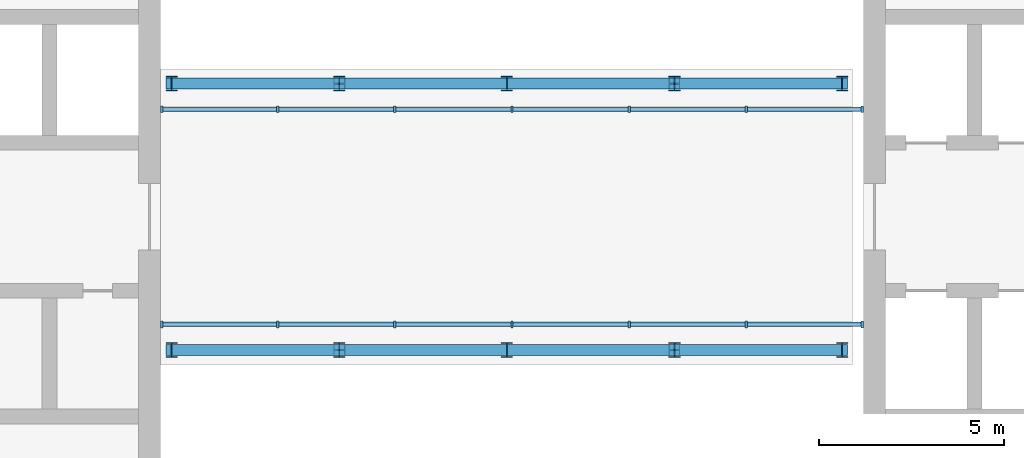
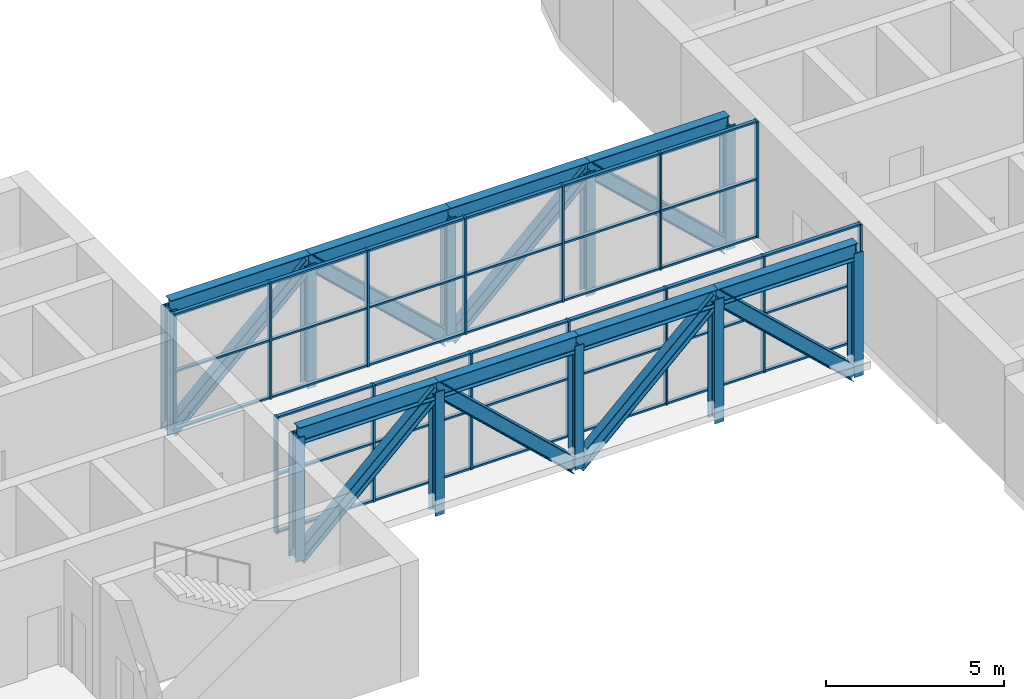
# One storey, part 2 of 18: 76 members, 2 elements without a shape of their own.
"""IFC4 building model written with IfcOpenShell, lengths in metres."""

from ifc_helpers import new_model, si_unit, direction, frame, origin, origin_2d, place, context, subcontext, project, spatial, rectangle, i_section, extrude, material, material_profile, profile_set, type_object, element, aggregate, save


model = new_model("IFC4")

# Units and contexts
model_context = context("Model", 3, precision=1e-05, world=origin(), true_north=direction((0.0, 1.0)))
body_context = subcontext(model_context, "Body", "Model", "MODEL_VIEW")
ifc_project = project(units=[si_unit("LENGTHUNIT", "METRE"), si_unit("AREAUNIT", "SQUARE_METRE"), si_unit("VOLUMEUNIT", "CUBIC_METRE"), si_unit("PLANEANGLEUNIT", "RADIAN"), si_unit("MASSUNIT", "GRAM", prefix="KILO")], contexts=[model_context])

# Site, building, storey
site_placement = place(None, origin())
site = spatial("IfcSite", under=ifc_project, at=site_placement, CompositionType="ELEMENT")
building_placement = place(site_placement, origin())
building = spatial("IfcBuilding", under=site, at=building_placement, Name="Skarvind Civic Tower", CompositionType="ELEMENT")
storey_placement = place(building_placement, frame((0.0, 0.0, 31.5)))
storey = spatial("IfcBuildingStorey", under=building, at=storey_placement, Name="L06", CompositionType="ELEMENT", Elevation=31.5)

# Members
ifc_material_1 = material(Name="Steel SM355", Category="steel")
ifc_material_profile_1 = material_profile(ifc_material_1, i_section(OverallWidth=0.300048828125, OverallDepth=0.587890625, WebThickness=0.011962890625, FlangeThickness=0.02001953125, FilletRadius=0.028076171875, at=origin_2d()), Name="H-588x300x12x20")
ifc_profile_set_1 = profile_set([ifc_material_profile_1], Name="Steel SM355")
member_type_1 = type_object("IfcMemberType", Name="Bridge chord H-588x300x12x20 SM355", PredefinedType="CHORD", material=ifc_profile_set_1)
for number, where, z_axis, x_axis, name in (
    (1, (108.300048828125, 124.39990234375, 3.7060546875), (1.0, 0.0, 0.0), (0.0, 1.0, 0.0), "Link bridge BR1 chord"),
    (2, (112.831298828125, 124.39990234375, 3.7060546875), (1.0, 0.0, 0.0), (0.0, 1.0, 0.0), "Link bridge BR1 chord"),
    (3, (117.362548828125, 124.39990234375, 3.7060546875), (1.0, 0.0, 0.0), (0.0, 1.0, 0.0), "Link bridge BR1 chord"),
    (4, (121.893798828125, 124.39990234375, 3.7060546875), (1.0, 0.0, 0.0), (0.0, 1.0, 0.0), "Link bridge BR1 chord"),
    (5, (108.300048828125, 131.60009765625, 3.7060546875), (1.0, 0.0, 0.0), (0.0, 1.0, 0.0), "Link bridge BR1 chord"),
    (6, (112.831298828125, 131.60009765625, 3.7060546875), (1.0, 0.0, 0.0), (0.0, 1.0, 0.0), "Link bridge BR1 chord"),
    (7, (117.362548828125, 131.60009765625, 3.7060546875), (1.0, 0.0, 0.0), (0.0, 1.0, 0.0), "Link bridge BR1 chord"),
    (8, (121.893798828125, 131.60009765625, 3.7060546875), (1.0, 0.0, 0.0), (0.0, 1.0, 0.0), "Link bridge BR1 chord"),
):
    element("IfcMember", number, at=place(storey_placement, frame(where, z_axis=z_axis, x_axis=x_axis)), inside=storey, type_object=member_type_1, Name=name, PredefinedType="CHORD", context=body_context, shape_type="SweptSolid", body=[
        extrude(i_section(OverallWidth=0.300048828125, OverallDepth=0.587890625, WebThickness=0.011962890625, FlangeThickness=0.02001953125, FilletRadius=0.028076171875, at=origin_2d()), origin(), (0.0, 0.0, 1.0), 4.53125),
    ])
ifc_material_profile_2 = material_profile(ifc_material_1, i_section(OverallWidth=0.300048828125, OverallDepth=0.43994140625, WebThickness=0.010986328125, FlangeThickness=0.01806640625, FilletRadius=0.02392578125, at=origin_2d()), Name="H-440x300x11x18")
ifc_profile_set_2 = profile_set([ifc_material_profile_2], Name="Steel SM355")
member_type_2 = type_object("IfcMemberType", Name="Bridge diagonal H-440x300x11x18 SM355", PredefinedType="BRACE", material=ifc_profile_set_2)
for number, where, z_axis, x_axis, name in (
    (9, (108.300048828125, 124.39990234375, -0.5439453125), (0.729380317724, 0.0, 0.684108435934), (0.0, 1.0, 0.0), "Link bridge BR1 diagonal"),
    (10, (112.831298828125, 124.39990234375, 3.7060546875), (0.729380317724, 0.0, -0.684108435934), (0.0, 1.0, 0.0), "Link bridge BR1 diagonal"),
    (11, (117.362548828125, 124.39990234375, -0.5439453125), (0.729380317724, 0.0, 0.684108435934), (0.0, 1.0, 0.0), "Link bridge BR1 diagonal"),
    (12, (121.893798828125, 124.39990234375, 3.7060546875), (0.729380317724, 0.0, -0.684108435934), (0.0, 1.0, 0.0), "Link bridge BR1 diagonal"),
    (13, (108.300048828125, 131.60009765625, -0.5439453125), (0.729380317724, 0.0, 0.684108435934), (0.0, 1.0, 0.0), "Link bridge BR1 diagonal"),
    (14, (112.831298828125, 131.60009765625, 3.7060546875), (0.729380317724, 0.0, -0.684108435934), (0.0, 1.0, 0.0), "Link bridge BR1 diagonal"),
    (15, (117.362548828125, 131.60009765625, -0.5439453125), (0.729380317724, 0.0, 0.684108435934), (0.0, 1.0, 0.0), "Link bridge BR1 diagonal"),
    (16, (121.893798828125, 131.60009765625, 3.7060546875), (0.729380317724, 0.0, -0.684108435934), (0.0, 1.0, 0.0), "Link bridge BR1 diagonal"),
):
    element("IfcMember", number, at=place(storey_placement, frame(where, z_axis=z_axis, x_axis=x_axis)), inside=storey, type_object=member_type_2, Name=name, PredefinedType="BRACE", context=body_context, shape_type="SweptSolid", body=[
        extrude(i_section(OverallWidth=0.300048828125, OverallDepth=0.43994140625, WebThickness=0.010986328125, FlangeThickness=0.01806640625, FilletRadius=0.02392578125, at=origin_2d()), origin(), (0.0, 0.0, 1.0), 6.21240234375),
    ])
ifc_material_profile_3 = material_profile(ifc_material_1, i_section(OverallWidth=0.300048828125, OverallDepth=0.389892578125, WebThickness=0.010009765625, FlangeThickness=0.01611328125, FilletRadius=0.02197265625, at=origin_2d()), Name="H-390x300x10x16")
ifc_profile_set_3 = profile_set([ifc_material_profile_3], Name="Steel SM355")
member_type_3 = type_object("IfcMemberType", Name="Bridge post H-390x300x10x16 SM355", PredefinedType="POST", material=ifc_profile_set_3)
for number, where, z_axis, x_axis, name in (
    (17, (108.300048828125, 124.39990234375, -0.5439453125), (0.0, 0.0, 1.0), (1.0, 0.0, 0.0), "Link bridge BR1 post"),
    (18, (112.831298828125, 124.39990234375, -0.5439453125), (0.0, 0.0, 1.0), (1.0, 0.0, 0.0), "Link bridge BR1 post"),
    (19, (117.362548828125, 124.39990234375, -0.5439453125), (0.0, 0.0, 1.0), (1.0, 0.0, 0.0), "Link bridge BR1 post"),
    (20, (121.893798828125, 124.39990234375, -0.5439453125), (0.0, 0.0, 1.0), (1.0, 0.0, 0.0), "Link bridge BR1 post"),
    (21, (126.425048828125, 124.39990234375, -0.5439453125), (0.0, 0.0, 1.0), (1.0, 0.0, 0.0), "Link bridge BR1 post"),
    (22, (108.300048828125, 131.60009765625, -0.5439453125), (0.0, 0.0, 1.0), (1.0, 0.0, 0.0), "Link bridge BR1 post"),
    (23, (112.831298828125, 131.60009765625, -0.5439453125), (0.0, 0.0, 1.0), (1.0, 0.0, 0.0), "Link bridge BR1 post"),
    (24, (117.362548828125, 131.60009765625, -0.5439453125), (0.0, 0.0, 1.0), (1.0, 0.0, 0.0), "Link bridge BR1 post"),
    (25, (121.893798828125, 131.60009765625, -0.5439453125), (0.0, 0.0, 1.0), (1.0, 0.0, 0.0), "Link bridge BR1 post"),
    (26, (126.425048828125, 131.60009765625, -0.5439453125), (0.0, 0.0, 1.0), (1.0, 0.0, 0.0), "Link bridge BR1 post"),
):
    element("IfcMember", number, at=place(storey_placement, frame(where, z_axis=z_axis, x_axis=x_axis)), inside=storey, type_object=member_type_3, Name=name, PredefinedType="POST", context=body_context, shape_type="SweptSolid", body=[
        extrude(i_section(OverallWidth=0.300048828125, OverallDepth=0.389892578125, WebThickness=0.010009765625, FlangeThickness=0.01611328125, FilletRadius=0.02197265625, at=origin_2d()), origin(), (0.0, 0.0, 1.0), 4.25),
    ])

# Curtain wall, members
ifc_material_2 = material(Name="Aluminium alloy 6063 and laminated glass", Category="aluminium")
curtain_wall_type = type_object("IfcCurtainWallType", Name="CW4 BRIDGE ENCLOSURE GLAZING", PredefinedType="NOTDEFINED", material=ifc_material_2)
curtain_wall_1_placement = place(storey_placement, origin())
curtain_wall_1 = element("IfcCurtainWall", 27, at=curtain_wall_1_placement, inside=storey, type_object=curtain_wall_type, Name="BRIDGE ENCLOSURE GLAZING", PredefinedType="NOTDEFINED")
ifc_material_3 = material(Name="Aluminium alloy 6063", Category="aluminium")
ifc_material_profile_4 = material_profile(ifc_material_3, rectangle(XDim=0.179931640625, YDim=0.06005859375, at=origin_2d()), Name="AL 60x180")
ifc_profile_set_4 = profile_set([ifc_material_profile_4], Name="Aluminium alloy 6063")
member_type_4 = type_object("IfcMemberType", Name="CW4 MULLION 60x180", PredefinedType="MULLION", material=ifc_profile_set_4)
member_1_placement = place(storey_placement, frame((126.969970703125, 125.090087890625, 0.0), z_axis=(0.0, 0.0, 1.0), x_axis=(0.0, -1.0, 0.0)))
member_1 = element("IfcMember", 28, at=member_1_placement, type_object=member_type_4, Name="CW4 mullion 1", PredefinedType="MULLION", context=body_context, shape_type="SweptSolid", body=[
    extrude(rectangle(XDim=0.179931640625, YDim=0.06005859375, at=origin_2d()), origin(), (0.0, 0.0, 1.0), 4.0),
])
member_2_placement = place(storey_placement, frame((123.833251953125, 125.090087890625, 0.0), z_axis=(0.0, 0.0, 1.0), x_axis=(0.0, -1.0, 0.0)))
member_2 = element("IfcMember", 29, at=member_2_placement, type_object=member_type_4, Name="CW4 mullion 2", PredefinedType="MULLION", context=body_context, shape_type="SweptSolid", body=[
    extrude(rectangle(XDim=0.179931640625, YDim=0.06005859375, at=origin_2d()), origin(), (0.0, 0.0, 1.0), 4.0),
])
member_3_placement = place(storey_placement, frame((120.666748046875, 125.090087890625, 0.0), z_axis=(0.0, 0.0, 1.0), x_axis=(0.0, -1.0, 0.0)))
member_3 = element("IfcMember", 30, at=member_3_placement, type_object=member_type_4, Name="CW4 mullion 3", PredefinedType="MULLION", context=body_context, shape_type="SweptSolid", body=[
    extrude(rectangle(XDim=0.179931640625, YDim=0.06005859375, at=origin_2d()), origin(), (0.0, 0.0, 1.0), 4.0),
])
member_4_placement = place(storey_placement, frame((117.5, 125.090087890625, 0.0), z_axis=(0.0, 0.0, 1.0), x_axis=(0.0, -1.0, 0.0)))
member_4 = element("IfcMember", 31, at=member_4_placement, type_object=member_type_4, Name="CW4 mullion 4", PredefinedType="MULLION", context=body_context, shape_type="SweptSolid", body=[
    extrude(rectangle(XDim=0.179931640625, YDim=0.06005859375, at=origin_2d()), origin(), (0.0, 0.0, 1.0), 4.0),
])
member_5_placement = place(storey_placement, frame((114.333251953125, 125.090087890625, 0.0), z_axis=(0.0, 0.0, 1.0), x_axis=(0.0, -1.0, 0.0)))
member_5 = element("IfcMember", 32, at=member_5_placement, type_object=member_type_4, Name="CW4 mullion 5", PredefinedType="MULLION", context=body_context, shape_type="SweptSolid", body=[
    extrude(rectangle(XDim=0.179931640625, YDim=0.06005859375, at=origin_2d()), origin(), (0.0, 0.0, 1.0), 4.0),
])
member_6_placement = place(storey_placement, frame((111.166748046875, 125.090087890625, 0.0), z_axis=(0.0, 0.0, 1.0), x_axis=(0.0, -1.0, 0.0)))
member_6 = element("IfcMember", 33, at=member_6_placement, type_object=member_type_4, Name="CW4 mullion 6", PredefinedType="MULLION", context=body_context, shape_type="SweptSolid", body=[
    extrude(rectangle(XDim=0.179931640625, YDim=0.06005859375, at=origin_2d()), origin(), (0.0, 0.0, 1.0), 4.0),
])
member_7_placement = place(storey_placement, frame((108.030029296875, 125.090087890625, 0.0), z_axis=(0.0, 0.0, 1.0), x_axis=(0.0, -1.0, 0.0)))
member_7 = element("IfcMember", 34, at=member_7_placement, type_object=member_type_4, Name="CW4 mullion 7", PredefinedType="MULLION", context=body_context, shape_type="SweptSolid", body=[
    extrude(rectangle(XDim=0.179931640625, YDim=0.06005859375, at=origin_2d()), origin(), (0.0, 0.0, 1.0), 4.0),
])

curtain_wall_2_placement = place(storey_placement, origin())
curtain_wall_2 = element("IfcCurtainWall", 35, at=curtain_wall_2_placement, inside=storey, type_object=curtain_wall_type, Name="BRIDGE ENCLOSURE GLAZING", PredefinedType="NOTDEFINED")
member_8_placement = place(storey_placement, frame((108.030029296875, 130.909912109375, 0.0), z_axis=(0.0, 0.0, 1.0), x_axis=(0.0, 1.0, 0.0)))
member_8 = element("IfcMember", 36, at=member_8_placement, type_object=member_type_4, Name="CW4 mullion 1", PredefinedType="MULLION", context=body_context, shape_type="SweptSolid", body=[
    extrude(rectangle(XDim=0.179931640625, YDim=0.06005859375, at=origin_2d()), origin(), (0.0, 0.0, 1.0), 4.0),
])
member_9_placement = place(storey_placement, frame((111.166748046875, 130.909912109375, 0.0), z_axis=(0.0, 0.0, 1.0), x_axis=(0.0, 1.0, 0.0)))
member_9 = element("IfcMember", 37, at=member_9_placement, type_object=member_type_4, Name="CW4 mullion 2", PredefinedType="MULLION", context=body_context, shape_type="SweptSolid", body=[
    extrude(rectangle(XDim=0.179931640625, YDim=0.06005859375, at=origin_2d()), origin(), (0.0, 0.0, 1.0), 4.0),
])
member_10_placement = place(storey_placement, frame((114.333251953125, 130.909912109375, 0.0), z_axis=(0.0, 0.0, 1.0), x_axis=(0.0, 1.0, 0.0)))
member_10 = element("IfcMember", 38, at=member_10_placement, type_object=member_type_4, Name="CW4 mullion 3", PredefinedType="MULLION", context=body_context, shape_type="SweptSolid", body=[
    extrude(rectangle(XDim=0.179931640625, YDim=0.06005859375, at=origin_2d()), origin(), (0.0, 0.0, 1.0), 4.0),
])
member_11_placement = place(storey_placement, frame((117.5, 130.909912109375, 0.0), z_axis=(0.0, 0.0, 1.0), x_axis=(0.0, 1.0, 0.0)))
member_11 = element("IfcMember", 39, at=member_11_placement, type_object=member_type_4, Name="CW4 mullion 4", PredefinedType="MULLION", context=body_context, shape_type="SweptSolid", body=[
    extrude(rectangle(XDim=0.179931640625, YDim=0.06005859375, at=origin_2d()), origin(), (0.0, 0.0, 1.0), 4.0),
])
member_12_placement = place(storey_placement, frame((120.666748046875, 130.909912109375, 0.0), z_axis=(0.0, 0.0, 1.0), x_axis=(0.0, 1.0, 0.0)))
member_12 = element("IfcMember", 40, at=member_12_placement, type_object=member_type_4, Name="CW4 mullion 5", PredefinedType="MULLION", context=body_context, shape_type="SweptSolid", body=[
    extrude(rectangle(XDim=0.179931640625, YDim=0.06005859375, at=origin_2d()), origin(), (0.0, 0.0, 1.0), 4.0),
])
member_13_placement = place(storey_placement, frame((123.833251953125, 130.909912109375, 0.0), z_axis=(0.0, 0.0, 1.0), x_axis=(0.0, 1.0, 0.0)))
member_13 = element("IfcMember", 41, at=member_13_placement, type_object=member_type_4, Name="CW4 mullion 6", PredefinedType="MULLION", context=body_context, shape_type="SweptSolid", body=[
    extrude(rectangle(XDim=0.179931640625, YDim=0.06005859375, at=origin_2d()), origin(), (0.0, 0.0, 1.0), 4.0),
])
member_14_placement = place(storey_placement, frame((126.969970703125, 130.909912109375, 0.0), z_axis=(0.0, 0.0, 1.0), x_axis=(0.0, 1.0, 0.0)))
member_14 = element("IfcMember", 42, at=member_14_placement, type_object=member_type_4, Name="CW4 mullion 7", PredefinedType="MULLION", context=body_context, shape_type="SweptSolid", body=[
    extrude(rectangle(XDim=0.179931640625, YDim=0.06005859375, at=origin_2d()), origin(), (0.0, 0.0, 1.0), 4.0),
])

# Member
ifc_material_profile_5 = material_profile(ifc_material_3, rectangle(XDim=0.1201171875, YDim=0.06005859375, at=origin_2d()), Name="AL 60x120")
ifc_profile_set_5 = profile_set([ifc_material_profile_5], Name="Aluminium alloy 6063")
member_type_5 = type_object("IfcMemberType", Name="CW4 TRANSOM 60x120", PredefinedType="USERDEFINED", material=ifc_profile_set_5)
member_15_placement = place(storey_placement, frame((126.93994140625, 125.090087890625, 0.030029296875), z_axis=(-1.0, 0.0, 0.0), x_axis=(0.0, -1.0, 0.0)))
member_15 = element("IfcMember", 43, at=member_15_placement, type_object=member_type_5, Name="CW4 transom 1.1", ObjectType="TRANSOM", PredefinedType="USERDEFINED", context=body_context, shape_type="SweptSolid", body=[
    extrude(rectangle(XDim=0.1201171875, YDim=0.06005859375, at=origin_2d()), origin(), (0.0, 0.0, 1.0), 3.07666015625),
])

member_16_placement = place(storey_placement, frame((126.93994140625, 125.090087890625, 2.0), z_axis=(-1.0, 0.0, 0.0), x_axis=(0.0, -1.0, 0.0)))
member_16 = element("IfcMember", 44, at=member_16_placement, type_object=member_type_5, Name="CW4 transom 1.2", ObjectType="TRANSOM", PredefinedType="USERDEFINED", context=body_context, shape_type="SweptSolid", body=[
    extrude(rectangle(XDim=0.1201171875, YDim=0.06005859375, at=origin_2d()), origin(), (0.0, 0.0, 1.0), 3.07666015625),
])

member_17_placement = place(storey_placement, frame((126.93994140625, 125.090087890625, 3.969970703125), z_axis=(-1.0, 0.0, 0.0), x_axis=(0.0, -1.0, 0.0)))
member_17 = element("IfcMember", 45, at=member_17_placement, type_object=member_type_5, Name="CW4 transom 1.3", ObjectType="TRANSOM", PredefinedType="USERDEFINED", context=body_context, shape_type="SweptSolid", body=[
    extrude(rectangle(XDim=0.1201171875, YDim=0.06005859375, at=origin_2d()), origin(), (0.0, 0.0, 1.0), 3.07666015625),
])

member_18_placement = place(storey_placement, frame((123.80322265625, 125.090087890625, 0.030029296875), z_axis=(-1.0, 0.0, 0.0), x_axis=(0.0, -1.0, 0.0)))
member_18 = element("IfcMember", 46, at=member_18_placement, type_object=member_type_5, Name="CW4 transom 2.1", ObjectType="TRANSOM", PredefinedType="USERDEFINED", context=body_context, shape_type="SweptSolid", body=[
    extrude(rectangle(XDim=0.1201171875, YDim=0.06005859375, at=origin_2d()), origin(), (0.0, 0.0, 1.0), 3.1064453125),
])

member_19_placement = place(storey_placement, frame((123.80322265625, 125.090087890625, 2.0), z_axis=(-1.0, 0.0, 0.0), x_axis=(0.0, -1.0, 0.0)))
member_19 = element("IfcMember", 47, at=member_19_placement, type_object=member_type_5, Name="CW4 transom 2.2", ObjectType="TRANSOM", PredefinedType="USERDEFINED", context=body_context, shape_type="SweptSolid", body=[
    extrude(rectangle(XDim=0.1201171875, YDim=0.06005859375, at=origin_2d()), origin(), (0.0, 0.0, 1.0), 3.1064453125),
])

member_20_placement = place(storey_placement, frame((123.80322265625, 125.090087890625, 3.969970703125), z_axis=(-1.0, 0.0, 0.0), x_axis=(0.0, -1.0, 0.0)))
member_20 = element("IfcMember", 48, at=member_20_placement, type_object=member_type_5, Name="CW4 transom 2.3", ObjectType="TRANSOM", PredefinedType="USERDEFINED", context=body_context, shape_type="SweptSolid", body=[
    extrude(rectangle(XDim=0.1201171875, YDim=0.06005859375, at=origin_2d()), origin(), (0.0, 0.0, 1.0), 3.1064453125),
])

member_21_placement = place(storey_placement, frame((120.63671875, 125.090087890625, 0.030029296875), z_axis=(-1.0, 0.0, 0.0), x_axis=(0.0, -1.0, 0.0)))
member_21 = element("IfcMember", 49, at=member_21_placement, type_object=member_type_5, Name="CW4 transom 3.1", ObjectType="TRANSOM", PredefinedType="USERDEFINED", context=body_context, shape_type="SweptSolid", body=[
    extrude(rectangle(XDim=0.1201171875, YDim=0.06005859375, at=origin_2d()), origin(), (0.0, 0.0, 1.0), 3.106689453125),
])

member_22_placement = place(storey_placement, frame((120.63671875, 125.090087890625, 2.0), z_axis=(-1.0, 0.0, 0.0), x_axis=(0.0, -1.0, 0.0)))
member_22 = element("IfcMember", 50, at=member_22_placement, type_object=member_type_5, Name="CW4 transom 3.2", ObjectType="TRANSOM", PredefinedType="USERDEFINED", context=body_context, shape_type="SweptSolid", body=[
    extrude(rectangle(XDim=0.1201171875, YDim=0.06005859375, at=origin_2d()), origin(), (0.0, 0.0, 1.0), 3.106689453125),
])

member_23_placement = place(storey_placement, frame((120.63671875, 125.090087890625, 3.969970703125), z_axis=(-1.0, 0.0, 0.0), x_axis=(0.0, -1.0, 0.0)))
member_23 = element("IfcMember", 51, at=member_23_placement, type_object=member_type_5, Name="CW4 transom 3.3", ObjectType="TRANSOM", PredefinedType="USERDEFINED", context=body_context, shape_type="SweptSolid", body=[
    extrude(rectangle(XDim=0.1201171875, YDim=0.06005859375, at=origin_2d()), origin(), (0.0, 0.0, 1.0), 3.106689453125),
])

member_24_placement = place(storey_placement, frame((117.469970703125, 125.090087890625, 0.030029296875), z_axis=(-1.0, 0.0, 0.0), x_axis=(0.0, -1.0, 0.0)))
member_24 = element("IfcMember", 52, at=member_24_placement, type_object=member_type_5, Name="CW4 transom 4.1", ObjectType="TRANSOM", PredefinedType="USERDEFINED", context=body_context, shape_type="SweptSolid", body=[
    extrude(rectangle(XDim=0.1201171875, YDim=0.06005859375, at=origin_2d()), origin(), (0.0, 0.0, 1.0), 3.106689453125),
])

member_25_placement = place(storey_placement, frame((117.469970703125, 125.090087890625, 2.0), z_axis=(-1.0, 0.0, 0.0), x_axis=(0.0, -1.0, 0.0)))
member_25 = element("IfcMember", 53, at=member_25_placement, type_object=member_type_5, Name="CW4 transom 4.2", ObjectType="TRANSOM", PredefinedType="USERDEFINED", context=body_context, shape_type="SweptSolid", body=[
    extrude(rectangle(XDim=0.1201171875, YDim=0.06005859375, at=origin_2d()), origin(), (0.0, 0.0, 1.0), 3.106689453125),
])

member_26_placement = place(storey_placement, frame((117.469970703125, 125.090087890625, 3.969970703125), z_axis=(-1.0, 0.0, 0.0), x_axis=(0.0, -1.0, 0.0)))
member_26 = element("IfcMember", 54, at=member_26_placement, type_object=member_type_5, Name="CW4 transom 4.3", ObjectType="TRANSOM", PredefinedType="USERDEFINED", context=body_context, shape_type="SweptSolid", body=[
    extrude(rectangle(XDim=0.1201171875, YDim=0.06005859375, at=origin_2d()), origin(), (0.0, 0.0, 1.0), 3.106689453125),
])

member_27_placement = place(storey_placement, frame((114.30322265625, 125.090087890625, 0.030029296875), z_axis=(-1.0, 0.0, 0.0), x_axis=(0.0, -1.0, 0.0)))
member_27 = element("IfcMember", 55, at=member_27_placement, type_object=member_type_5, Name="CW4 transom 5.1", ObjectType="TRANSOM", PredefinedType="USERDEFINED", context=body_context, shape_type="SweptSolid", body=[
    extrude(rectangle(XDim=0.1201171875, YDim=0.06005859375, at=origin_2d()), origin(), (0.0, 0.0, 1.0), 3.1064453125),
])

member_28_placement = place(storey_placement, frame((114.30322265625, 125.090087890625, 2.0), z_axis=(-1.0, 0.0, 0.0), x_axis=(0.0, -1.0, 0.0)))
member_28 = element("IfcMember", 56, at=member_28_placement, type_object=member_type_5, Name="CW4 transom 5.2", ObjectType="TRANSOM", PredefinedType="USERDEFINED", context=body_context, shape_type="SweptSolid", body=[
    extrude(rectangle(XDim=0.1201171875, YDim=0.06005859375, at=origin_2d()), origin(), (0.0, 0.0, 1.0), 3.1064453125),
])

member_29_placement = place(storey_placement, frame((114.30322265625, 125.090087890625, 3.969970703125), z_axis=(-1.0, 0.0, 0.0), x_axis=(0.0, -1.0, 0.0)))
member_29 = element("IfcMember", 57, at=member_29_placement, type_object=member_type_5, Name="CW4 transom 5.3", ObjectType="TRANSOM", PredefinedType="USERDEFINED", context=body_context, shape_type="SweptSolid", body=[
    extrude(rectangle(XDim=0.1201171875, YDim=0.06005859375, at=origin_2d()), origin(), (0.0, 0.0, 1.0), 3.1064453125),
])

member_30_placement = place(storey_placement, frame((111.13671875, 125.090087890625, 0.030029296875), z_axis=(-1.0, 0.0, 0.0), x_axis=(0.0, -1.0, 0.0)))
member_30 = element("IfcMember", 58, at=member_30_placement, type_object=member_type_5, Name="CW4 transom 6.1", ObjectType="TRANSOM", PredefinedType="USERDEFINED", context=body_context, shape_type="SweptSolid", body=[
    extrude(rectangle(XDim=0.1201171875, YDim=0.06005859375, at=origin_2d()), origin(), (0.0, 0.0, 1.0), 3.07666015625),
])

member_31_placement = place(storey_placement, frame((111.13671875, 125.090087890625, 2.0), z_axis=(-1.0, 0.0, 0.0), x_axis=(0.0, -1.0, 0.0)))
member_31 = element("IfcMember", 59, at=member_31_placement, type_object=member_type_5, Name="CW4 transom 6.2", ObjectType="TRANSOM", PredefinedType="USERDEFINED", context=body_context, shape_type="SweptSolid", body=[
    extrude(rectangle(XDim=0.1201171875, YDim=0.06005859375, at=origin_2d()), origin(), (0.0, 0.0, 1.0), 3.07666015625),
])

member_32_placement = place(storey_placement, frame((111.13671875, 125.090087890625, 3.969970703125), z_axis=(-1.0, 0.0, 0.0), x_axis=(0.0, -1.0, 0.0)))
member_32 = element("IfcMember", 60, at=member_32_placement, type_object=member_type_5, Name="CW4 transom 6.3", ObjectType="TRANSOM", PredefinedType="USERDEFINED", context=body_context, shape_type="SweptSolid", body=[
    extrude(rectangle(XDim=0.1201171875, YDim=0.06005859375, at=origin_2d()), origin(), (0.0, 0.0, 1.0), 3.07666015625),
])

aggregate(curtain_wall_1, [member_1, member_2, member_3, member_4, member_5, member_6, member_7, member_15, member_16, member_17, member_18, member_19, member_20, member_21, member_22, member_23, member_24, member_25, member_26, member_27, member_28, member_29, member_30, member_31, member_32])

member_33_placement = place(storey_placement, frame((108.06005859375, 130.909912109375, 0.030029296875), z_axis=(1.0, 0.0, 0.0), x_axis=(0.0, 1.0, 0.0)))
member_33 = element("IfcMember", 61, at=member_33_placement, type_object=member_type_5, Name="CW4 transom 1.1", ObjectType="TRANSOM", PredefinedType="USERDEFINED", context=body_context, shape_type="SweptSolid", body=[
    extrude(rectangle(XDim=0.1201171875, YDim=0.06005859375, at=origin_2d()), origin(), (0.0, 0.0, 1.0), 3.07666015625),
])

member_34_placement = place(storey_placement, frame((108.06005859375, 130.909912109375, 2.0), z_axis=(1.0, 0.0, 0.0), x_axis=(0.0, 1.0, 0.0)))
member_34 = element("IfcMember", 62, at=member_34_placement, type_object=member_type_5, Name="CW4 transom 1.2", ObjectType="TRANSOM", PredefinedType="USERDEFINED", context=body_context, shape_type="SweptSolid", body=[
    extrude(rectangle(XDim=0.1201171875, YDim=0.06005859375, at=origin_2d()), origin(), (0.0, 0.0, 1.0), 3.07666015625),
])

member_35_placement = place(storey_placement, frame((108.06005859375, 130.909912109375, 3.969970703125), z_axis=(1.0, 0.0, 0.0), x_axis=(0.0, 1.0, 0.0)))
member_35 = element("IfcMember", 63, at=member_35_placement, type_object=member_type_5, Name="CW4 transom 1.3", ObjectType="TRANSOM", PredefinedType="USERDEFINED", context=body_context, shape_type="SweptSolid", body=[
    extrude(rectangle(XDim=0.1201171875, YDim=0.06005859375, at=origin_2d()), origin(), (0.0, 0.0, 1.0), 3.07666015625),
])

member_36_placement = place(storey_placement, frame((111.19677734375, 130.909912109375, 0.030029296875), z_axis=(1.0, 0.0, 0.0), x_axis=(0.0, 1.0, 0.0)))
member_36 = element("IfcMember", 64, at=member_36_placement, type_object=member_type_5, Name="CW4 transom 2.1", ObjectType="TRANSOM", PredefinedType="USERDEFINED", context=body_context, shape_type="SweptSolid", body=[
    extrude(rectangle(XDim=0.1201171875, YDim=0.06005859375, at=origin_2d()), origin(), (0.0, 0.0, 1.0), 3.1064453125),
])

member_37_placement = place(storey_placement, frame((111.19677734375, 130.909912109375, 2.0), z_axis=(1.0, 0.0, 0.0), x_axis=(0.0, 1.0, 0.0)))
member_37 = element("IfcMember", 65, at=member_37_placement, type_object=member_type_5, Name="CW4 transom 2.2", ObjectType="TRANSOM", PredefinedType="USERDEFINED", context=body_context, shape_type="SweptSolid", body=[
    extrude(rectangle(XDim=0.1201171875, YDim=0.06005859375, at=origin_2d()), origin(), (0.0, 0.0, 1.0), 3.1064453125),
])

member_38_placement = place(storey_placement, frame((111.19677734375, 130.909912109375, 3.969970703125), z_axis=(1.0, 0.0, 0.0), x_axis=(0.0, 1.0, 0.0)))
member_38 = element("IfcMember", 66, at=member_38_placement, type_object=member_type_5, Name="CW4 transom 2.3", ObjectType="TRANSOM", PredefinedType="USERDEFINED", context=body_context, shape_type="SweptSolid", body=[
    extrude(rectangle(XDim=0.1201171875, YDim=0.06005859375, at=origin_2d()), origin(), (0.0, 0.0, 1.0), 3.1064453125),
])

member_39_placement = place(storey_placement, frame((114.36328125, 130.909912109375, 0.030029296875), z_axis=(1.0, 0.0, 0.0), x_axis=(0.0, 1.0, 0.0)))
member_39 = element("IfcMember", 67, at=member_39_placement, type_object=member_type_5, Name="CW4 transom 3.1", ObjectType="TRANSOM", PredefinedType="USERDEFINED", context=body_context, shape_type="SweptSolid", body=[
    extrude(rectangle(XDim=0.1201171875, YDim=0.06005859375, at=origin_2d()), origin(), (0.0, 0.0, 1.0), 3.106689453125),
])

member_40_placement = place(storey_placement, frame((114.36328125, 130.909912109375, 2.0), z_axis=(1.0, 0.0, 0.0), x_axis=(0.0, 1.0, 0.0)))
member_40 = element("IfcMember", 68, at=member_40_placement, type_object=member_type_5, Name="CW4 transom 3.2", ObjectType="TRANSOM", PredefinedType="USERDEFINED", context=body_context, shape_type="SweptSolid", body=[
    extrude(rectangle(XDim=0.1201171875, YDim=0.06005859375, at=origin_2d()), origin(), (0.0, 0.0, 1.0), 3.106689453125),
])

member_41_placement = place(storey_placement, frame((114.36328125, 130.909912109375, 3.969970703125), z_axis=(1.0, 0.0, 0.0), x_axis=(0.0, 1.0, 0.0)))
member_41 = element("IfcMember", 69, at=member_41_placement, type_object=member_type_5, Name="CW4 transom 3.3", ObjectType="TRANSOM", PredefinedType="USERDEFINED", context=body_context, shape_type="SweptSolid", body=[
    extrude(rectangle(XDim=0.1201171875, YDim=0.06005859375, at=origin_2d()), origin(), (0.0, 0.0, 1.0), 3.106689453125),
])

member_42_placement = place(storey_placement, frame((117.530029296875, 130.909912109375, 0.030029296875), z_axis=(1.0, 0.0, 0.0), x_axis=(0.0, 1.0, 0.0)))
member_42 = element("IfcMember", 70, at=member_42_placement, type_object=member_type_5, Name="CW4 transom 4.1", ObjectType="TRANSOM", PredefinedType="USERDEFINED", context=body_context, shape_type="SweptSolid", body=[
    extrude(rectangle(XDim=0.1201171875, YDim=0.06005859375, at=origin_2d()), origin(), (0.0, 0.0, 1.0), 3.106689453125),
])

member_43_placement = place(storey_placement, frame((117.530029296875, 130.909912109375, 2.0), z_axis=(1.0, 0.0, 0.0), x_axis=(0.0, 1.0, 0.0)))
member_43 = element("IfcMember", 71, at=member_43_placement, type_object=member_type_5, Name="CW4 transom 4.2", ObjectType="TRANSOM", PredefinedType="USERDEFINED", context=body_context, shape_type="SweptSolid", body=[
    extrude(rectangle(XDim=0.1201171875, YDim=0.06005859375, at=origin_2d()), origin(), (0.0, 0.0, 1.0), 3.106689453125),
])

member_44_placement = place(storey_placement, frame((117.530029296875, 130.909912109375, 3.969970703125), z_axis=(1.0, 0.0, 0.0), x_axis=(0.0, 1.0, 0.0)))
member_44 = element("IfcMember", 72, at=member_44_placement, type_object=member_type_5, Name="CW4 transom 4.3", ObjectType="TRANSOM", PredefinedType="USERDEFINED", context=body_context, shape_type="SweptSolid", body=[
    extrude(rectangle(XDim=0.1201171875, YDim=0.06005859375, at=origin_2d()), origin(), (0.0, 0.0, 1.0), 3.106689453125),
])

member_45_placement = place(storey_placement, frame((120.69677734375, 130.909912109375, 0.030029296875), z_axis=(1.0, 0.0, 0.0), x_axis=(0.0, 1.0, 0.0)))
member_45 = element("IfcMember", 73, at=member_45_placement, type_object=member_type_5, Name="CW4 transom 5.1", ObjectType="TRANSOM", PredefinedType="USERDEFINED", context=body_context, shape_type="SweptSolid", body=[
    extrude(rectangle(XDim=0.1201171875, YDim=0.06005859375, at=origin_2d()), origin(), (0.0, 0.0, 1.0), 3.1064453125),
])

member_46_placement = place(storey_placement, frame((120.69677734375, 130.909912109375, 2.0), z_axis=(1.0, 0.0, 0.0), x_axis=(0.0, 1.0, 0.0)))
member_46 = element("IfcMember", 74, at=member_46_placement, type_object=member_type_5, Name="CW4 transom 5.2", ObjectType="TRANSOM", PredefinedType="USERDEFINED", context=body_context, shape_type="SweptSolid", body=[
    extrude(rectangle(XDim=0.1201171875, YDim=0.06005859375, at=origin_2d()), origin(), (0.0, 0.0, 1.0), 3.1064453125),
])

member_47_placement = place(storey_placement, frame((120.69677734375, 130.909912109375, 3.969970703125), z_axis=(1.0, 0.0, 0.0), x_axis=(0.0, 1.0, 0.0)))
member_47 = element("IfcMember", 75, at=member_47_placement, type_object=member_type_5, Name="CW4 transom 5.3", ObjectType="TRANSOM", PredefinedType="USERDEFINED", context=body_context, shape_type="SweptSolid", body=[
    extrude(rectangle(XDim=0.1201171875, YDim=0.06005859375, at=origin_2d()), origin(), (0.0, 0.0, 1.0), 3.1064453125),
])

member_48_placement = place(storey_placement, frame((123.86328125, 130.909912109375, 0.030029296875), z_axis=(1.0, 0.0, 0.0), x_axis=(0.0, 1.0, 0.0)))
member_48 = element("IfcMember", 76, at=member_48_placement, type_object=member_type_5, Name="CW4 transom 6.1", ObjectType="TRANSOM", PredefinedType="USERDEFINED", context=body_context, shape_type="SweptSolid", body=[
    extrude(rectangle(XDim=0.1201171875, YDim=0.06005859375, at=origin_2d()), origin(), (0.0, 0.0, 1.0), 3.07666015625),
])

member_49_placement = place(storey_placement, frame((123.86328125, 130.909912109375, 2.0), z_axis=(1.0, 0.0, 0.0), x_axis=(0.0, 1.0, 0.0)))
member_49 = element("IfcMember", 77, at=member_49_placement, type_object=member_type_5, Name="CW4 transom 6.2", ObjectType="TRANSOM", PredefinedType="USERDEFINED", context=body_context, shape_type="SweptSolid", body=[
    extrude(rectangle(XDim=0.1201171875, YDim=0.06005859375, at=origin_2d()), origin(), (0.0, 0.0, 1.0), 3.07666015625),
])

member_50_placement = place(storey_placement, frame((123.86328125, 130.909912109375, 3.969970703125), z_axis=(1.0, 0.0, 0.0), x_axis=(0.0, 1.0, 0.0)))
member_50 = element("IfcMember", 78, at=member_50_placement, type_object=member_type_5, Name="CW4 transom 6.3", ObjectType="TRANSOM", PredefinedType="USERDEFINED", context=body_context, shape_type="SweptSolid", body=[
    extrude(rectangle(XDim=0.1201171875, YDim=0.06005859375, at=origin_2d()), origin(), (0.0, 0.0, 1.0), 3.07666015625),
])

aggregate(curtain_wall_2, [member_8, member_9, member_10, member_11, member_12, member_13, member_14, member_33, member_34, member_35, member_36, member_37, member_38, member_39, member_40, member_41, member_42, member_43, member_44, member_45, member_46, member_47, member_48, member_49, member_50])

save(model, "model.ifc")
